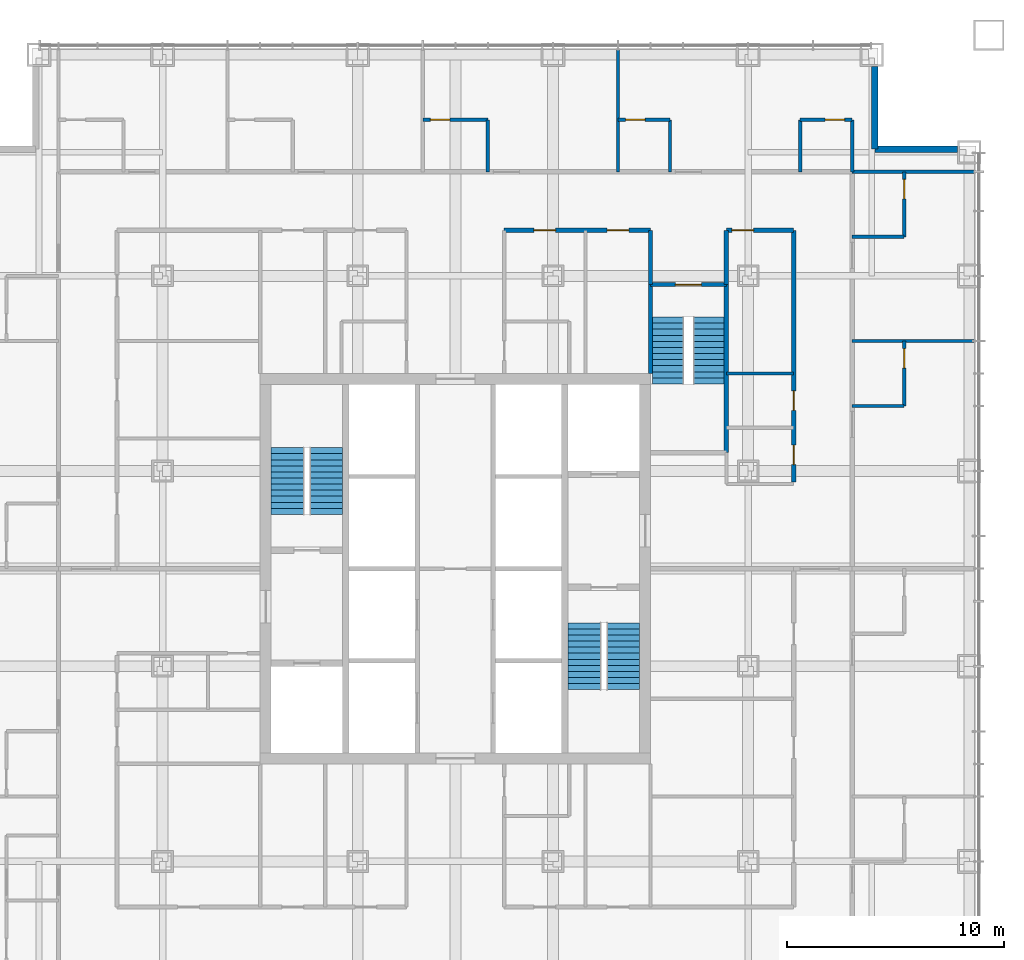
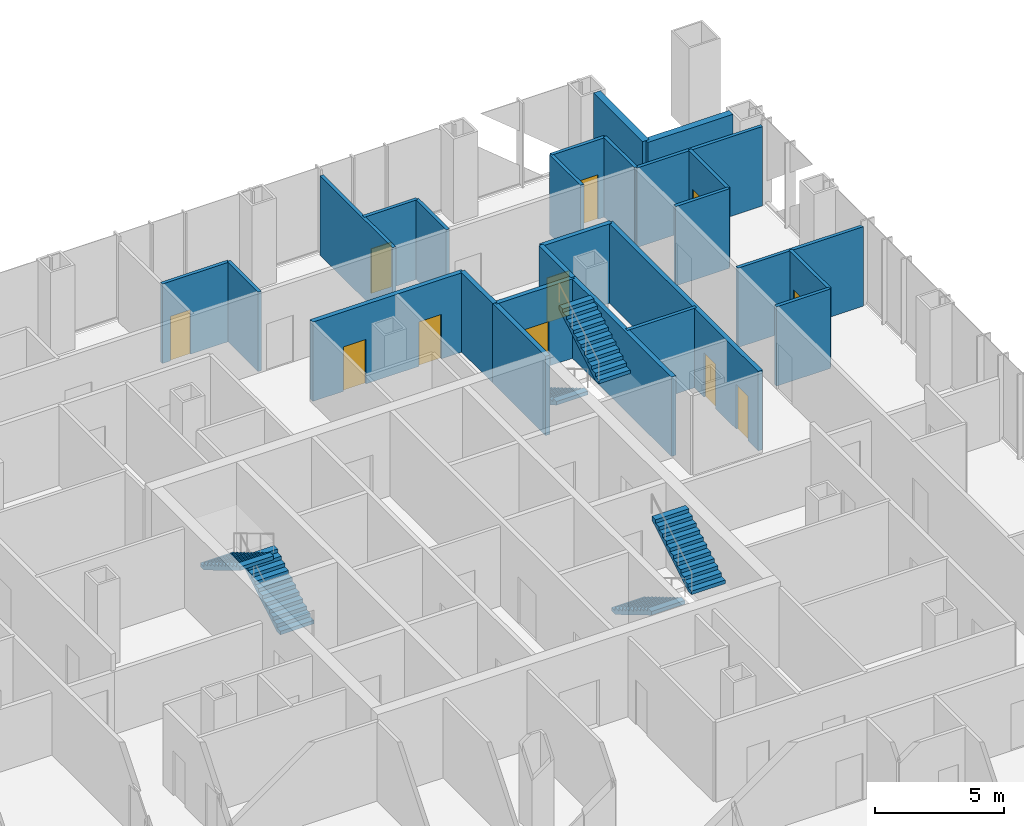
# One storey, part 12 of 13: 25 walls, 11 doors, 6 stair flights, 11 openings, 3 elements without a shape of their own.
"""IFC4 building model written with IfcOpenShell, lengths in metres."""

from ifc_helpers import new_model, si_unit, direction, frame, frame_2d, origin, place, context, subcontext, project, spatial, polyline, rectangle, outline, extrude, material, layer, layer_set, type_object, element, fill, aggregate, save


model = new_model("IFC4")

# Units and contexts
model_context = context("Model", 3, precision=1e-05, world=origin(), true_north=direction((0.0, 1.0)))
body_context = subcontext(model_context, "Body", "Model", "MODEL_VIEW")
ifc_project = project(units=[si_unit("LENGTHUNIT", "METRE"), si_unit("AREAUNIT", "SQUARE_METRE"), si_unit("VOLUMEUNIT", "CUBIC_METRE"), si_unit("PLANEANGLEUNIT", "RADIAN"), si_unit("MASSUNIT", "GRAM", prefix="KILO")], contexts=[model_context])

# Site, building, storey
site_placement = place(None, origin())
site = spatial("IfcSite", under=ifc_project, at=site_placement, CompositionType="ELEMENT")
building_placement = place(site_placement, origin())
building = spatial("IfcBuilding", under=site, at=building_placement, Name="Malebo Sky Hospital", CompositionType="ELEMENT")
storey_placement = place(building_placement, frame((0.0, 0.0, 104.0)))
storey = spatial("IfcBuildingStorey", under=building, at=storey_placement, Name="L24", CompositionType="ELEMENT", Elevation=104.0)

# Wall, openings, doors
ifc_material_1 = material(Name="Gypsum board on steel studs", Category="steel")
ifc_layer_1 = layer(ifc_material_1, 0.199951171875)
ifc_layer_set_1 = layer_set([ifc_layer_1], Name="CORRIDOR WALL 200")
wall_type_1 = type_object("IfcWallType", Name="CORRIDOR WALL 200", PredefinedType="PARTITIONING", material=ifc_layer_set_1)
wall_1_placement = place(storey_placement, frame((62.25, 77.60009765625, 0.0), z_axis=(0.0, 0.0, 1.0), x_axis=(1.0, 0.0, 0.0)))
wall_1 = element("IfcWall", 1, at=wall_1_placement, inside=storey, type_object=wall_type_1, Name="Corridor Wall 200 NCI2", PredefinedType="PARTITIONING", context=body_context, shape_type="SweptSolid", body=[
    extrude(rectangle(XDim=6.75, YDim=0.199951171875, at=frame_2d((3.375, 0.0))), origin(), (0.0, 0.0, 1.0), 3.75),
])
opening_1_placement = place(wall_1_placement, frame((1.375, 0.0, 0.0)))
opening_1 = element("IfcOpeningElement", 2, at=opening_1_placement, cuts=wall_1, Name="Opening D03", PredefinedType="OPENING", context=body_context, shape_type="SweptSolid", body=[
    extrude(rectangle(XDim=1.0, YDim=2.10009765625, at=frame_2d((0.5, 1.050048828125))), frame((0.0, 0.10986328125, 0.0), z_axis=(0.0, -1.0, 0.0), x_axis=(1.0, 0.0, 0.0)), (0.0, 0.0, 1.0), 0.219970703125),
])
opening_2_placement = place(wall_1_placement, frame((4.75, 0.0, 0.0)))
opening_2 = element("IfcOpeningElement", 3, at=opening_2_placement, cuts=wall_1, Name="Opening D03", PredefinedType="OPENING", context=body_context, shape_type="SweptSolid", body=[
    extrude(rectangle(XDim=1.0, YDim=2.10009765625, at=frame_2d((0.5, 1.050048828125))), frame((0.0, 0.10986328125, 0.0), z_axis=(0.0, -1.0, 0.0), x_axis=(1.0, 0.0, 0.0)), (0.0, 0.0, 1.0), 0.219970703125),
])
ifc_material_2 = material(Name="Hardwood-faced door leaf in steel frame", Category="steel")
door_type_1 = type_object("IfcDoorType", Name="ROOM DOOR 1000", OperationType="SINGLE_SWING_LEFT", PredefinedType="DOOR", material=ifc_material_2)
door_1_placement = place(opening_1_placement, origin())
door_1 = element("IfcDoor", 4, at=door_1_placement, inside=storey, type_object=door_type_1, Name="Clean utility room door", OperationType="SINGLE_SWING_LEFT", OverallHeight=2.10009765625, OverallWidth=1.0, PredefinedType="DOOR", context=body_context, shape_type="SweptSolid", body=[
    extrude(rectangle(XDim=1.0, YDim=2.10009765625, at=frame_2d((0.5, 1.050048828125))), frame((0.0, 0.02490234375, 0.0), z_axis=(0.0, -1.0, 0.0), x_axis=(1.0, 0.0, 0.0)), (0.0, 0.0, 1.0), 0.050048828125),
])
fill(opening_1, door_1)
door_2_placement = place(opening_2_placement, origin())
door_2 = element("IfcDoor", 5, at=door_2_placement, inside=storey, type_object=door_type_1, Name="Seminar room door", OperationType="SINGLE_SWING_RIGHT", OverallHeight=2.10009765625, OverallWidth=1.0, PredefinedType="DOOR", context=body_context, shape_type="SweptSolid", body=[
    extrude(rectangle(XDim=1.0, YDim=2.10009765625, at=frame_2d((0.5, 1.050048828125))), frame((0.0, 0.02490234375, 0.0), z_axis=(0.0, -1.0, 0.0), x_axis=(1.0, 0.0, 0.0)), (0.0, 0.0, 1.0), 0.050048828125),
])
fill(opening_2, door_2)

# Wall, opening, door
wall_2_placement = place(storey_placement, frame((72.5, 77.60009765625, 0.0), z_axis=(0.0, 0.0, 1.0), x_axis=(1.0, 0.0, 0.0)))
wall_2 = element("IfcWall", 6, at=wall_2_placement, inside=storey, type_object=wall_type_1, Name="Corridor Wall 200 NCI2/2", PredefinedType="PARTITIONING", context=body_context, shape_type="SweptSolid", body=[
    extrude(rectangle(XDim=3.10009765625, YDim=0.199951171875, at=frame_2d((1.550048828125, 0.0))), origin(), (0.0, 0.0, 1.0), 3.75),
])
opening_3_placement = place(wall_2_placement, frame((0.25, 0.0, 0.0)))
opening_3 = element("IfcOpeningElement", 7, at=opening_3_placement, cuts=wall_2, Name="Opening D03", PredefinedType="OPENING", context=body_context, shape_type="SweptSolid", body=[
    extrude(rectangle(XDim=1.0, YDim=2.10009765625, at=frame_2d((0.5, 1.050048828125))), frame((0.0, 0.10986328125, 0.0), z_axis=(0.0, -1.0, 0.0), x_axis=(1.0, 0.0, 0.0)), (0.0, 0.0, 1.0), 0.219970703125),
])
door_3_placement = place(opening_3_placement, origin())
door_3 = element("IfcDoor", 8, at=door_3_placement, inside=storey, type_object=door_type_1, Name="Nurse station door", OperationType="SINGLE_SWING_LEFT", OverallHeight=2.10009765625, OverallWidth=1.0, PredefinedType="DOOR", context=body_context, shape_type="SweptSolid", body=[
    extrude(rectangle(XDim=1.0, YDim=2.10009765625, at=frame_2d((0.5, 1.050048828125))), frame((0.0, 0.02490234375, 0.0), z_axis=(0.0, -1.0, 0.0), x_axis=(1.0, 0.0, 0.0)), (0.0, 0.0, 1.0), 0.050048828125),
])
fill(opening_3, door_3)

# Wall, openings, doors
wall_3_placement = place(storey_placement, frame((75.60009765625, 77.60009765625, 0.0), z_axis=(0.0, 0.0, 1.0), x_axis=(0.0, -1.0, 0.0)))
wall_3 = element("IfcWall", 9, at=wall_3_placement, inside=storey, type_object=wall_type_1, Name="Corridor Wall 200 ECI1", PredefinedType="PARTITIONING", context=body_context, shape_type="SweptSolid", body=[
    extrude(rectangle(XDim=11.60009765625, YDim=0.199951171875, at=frame_2d((5.800048828125, 0.0))), origin(), (0.0, 0.0, 1.0), 3.75),
])
opening_4_placement = place(wall_3_placement, frame((7.39990234375, 0.0, 0.0)))
opening_4 = element("IfcOpeningElement", 10, at=opening_4_placement, cuts=wall_3, Name="Opening D04", PredefinedType="OPENING", context=body_context, shape_type="SweptSolid", body=[
    extrude(rectangle(XDim=0.89990234375, YDim=2.10009765625, at=frame_2d((0.449951171875, 1.050048828125))), frame((0.0, 0.10986328125, 0.0), z_axis=(0.0, -1.0, 0.0), x_axis=(1.0, 0.0, 0.0)), (0.0, 0.0, 1.0), 0.219970703125),
])
opening_5_placement = place(wall_3_placement, frame((9.89990234375, 0.0, 0.0)))
opening_5 = element("IfcOpeningElement", 11, at=opening_5_placement, cuts=wall_3, Name="Opening D04", PredefinedType="OPENING", context=body_context, shape_type="SweptSolid", body=[
    extrude(rectangle(XDim=0.89990234375, YDim=2.10009765625, at=frame_2d((0.449951171875, 1.050048828125))), frame((0.0, 0.10986328125, 0.0), z_axis=(0.0, -1.0, 0.0), x_axis=(1.0, 0.0, 0.0)), (0.0, 0.0, 1.0), 0.219970703125),
])
door_type_2 = type_object("IfcDoorType", Name="ROOM DOOR 900", OperationType="SINGLE_SWING_LEFT", PredefinedType="DOOR", material=ifc_material_2)
door_4_placement = place(opening_4_placement, origin())
door_4 = element("IfcDoor", 12, at=door_4_placement, inside=storey, type_object=door_type_2, Name="Equipment store door", OperationType="SINGLE_SWING_LEFT", OverallHeight=2.10009765625, OverallWidth=0.89990234375, PredefinedType="DOOR", context=body_context, shape_type="SweptSolid", body=[
    extrude(rectangle(XDim=0.89990234375, YDim=2.10009765625, at=frame_2d((0.449951171875, 1.050048828125))), frame((0.0, 0.02490234375, 0.0), z_axis=(0.0, -1.0, 0.0), x_axis=(1.0, 0.0, 0.0)), (0.0, 0.0, 1.0), 0.050048828125),
])
fill(opening_4, door_4)
door_5_placement = place(opening_5_placement, origin())
door_5 = element("IfcDoor", 13, at=door_5_placement, inside=storey, type_object=door_type_2, Name="Medication room door", OperationType="SINGLE_SWING_LEFT", OverallHeight=2.10009765625, OverallWidth=0.89990234375, PredefinedType="DOOR", context=body_context, shape_type="SweptSolid", body=[
    extrude(rectangle(XDim=0.89990234375, YDim=2.10009765625, at=frame_2d((0.449951171875, 1.050048828125))), frame((0.0, 0.02490234375, 0.0), z_axis=(0.0, -1.0, 0.0), x_axis=(1.0, 0.0, 0.0)), (0.0, 0.0, 1.0), 0.050048828125),
])
fill(opening_5, door_5)

# Walls
for number, where, z_axis, x_axis, name in (
    (14, (69.0, 75.10009765625, 0.0), (0.0, 0.0, 1.0), (0.0, 1.0, 0.0), "Corridor Wall 200 ST3AW"),
    (15, (72.5, 75.10009765625, 0.0), (0.0, 0.0, 1.0), (0.0, 1.0, 0.0), "Corridor Wall 200 ST3AE"),
):
    element("IfcWall", number, at=place(storey_placement, frame(where, z_axis=z_axis, x_axis=x_axis)), inside=storey, type_object=wall_type_1, Name=name, PredefinedType="PARTITIONING", context=body_context, shape_type="SweptSolid", body=[
        extrude(rectangle(XDim=2.5, YDim=0.199951171875, at=frame_2d((1.25, 0.0))), origin(), (0.0, 0.0, 1.0), 3.75),
    ])
ifc_material_3 = material(Name="Anodised aluminium rainscreen on steel framing", Category="steel")
ifc_layer_2 = layer(ifc_material_3, 0.300048828125)
ifc_layer_set_2 = layer_set([ifc_layer_2], Name="NOTCH RAINSCREEN WALL 300")
wall_type_2 = type_object("IfcWallType", Name="NOTCH RAINSCREEN WALL 300", PredefinedType="ELEMENTEDWALL", material=ifc_layer_set_2)
for number, where, z_axis, x_axis, name in (
    (16, (79.35009765625, 85.14990234375, 0.0), (0.0, 0.0, 1.0), (0.0, -1.0, 0.0), "Notch rainscreen wall N1 L24"),
    (17, (79.35009765625, 81.35009765625, 0.0), (0.0, 0.0, 1.0), (1.0, 0.0, 0.0), "Notch rainscreen wall N2 L24"),
):
    element("IfcWall", number, at=place(storey_placement, frame(where, z_axis=z_axis, x_axis=x_axis)), inside=storey, type_object=wall_type_2, Name=name, PredefinedType="ELEMENTEDWALL", context=body_context, shape_type="SweptSolid", body=[
        extrude(rectangle(XDim=3.7998046875, YDim=0.300048828125, at=frame_2d((1.89990234375, 0.0))), origin(), (0.0, 0.0, 1.0), 4.0),
    ])
ifc_layer_3 = layer(ifc_material_1, 0.14990234375)
ifc_layer_set_3 = layer_set([ifc_layer_3], Name="PARTITION 150")
wall_type_3 = type_object("IfcWallType", Name="PARTITION 150", PredefinedType="PARTITIONING", material=ifc_layer_set_3)
wall_4_placement = place(storey_placement, frame((67.5, 80.300048828125, 0.0), z_axis=(0.0, 0.0, 1.0), x_axis=(0.0, 1.0, 0.0)))
element("IfcWall", 18, at=wall_4_placement, inside=storey, type_object=wall_type_3, Name="Partition 150 NP+7.5", PredefinedType="PARTITIONING", context=body_context, shape_type="SweptSolid", body=[
    extrude(rectangle(XDim=5.60986328125, YDim=0.14990234375, at=frame_2d((2.804931640625, 0.0))), origin(), (0.0, 0.0, 1.0), 3.75),
])

# Wall, opening, door
wall_5_placement = place(storey_placement, frame((58.5, 82.699951171875, 0.0), z_axis=(0.0, 0.0, 1.0), x_axis=(1.0, 0.0, 0.0)))
wall_5 = element("IfcWall", 19, at=wall_5_placement, inside=storey, type_object=wall_type_3, Name="Partition 150 NE2F", PredefinedType="PARTITIONING", context=body_context, shape_type="SweptSolid", body=[
    extrude(rectangle(XDim=3.0, YDim=0.14990234375, at=frame_2d((1.5, 0.0))), origin(), (0.0, 0.0, 1.0), 3.75),
])
opening_6_placement = place(wall_5_placement, frame((0.35009765625, 0.0, 0.0)))
opening_6 = element("IfcOpeningElement", 20, at=opening_6_placement, cuts=wall_5, Name="Opening D02", PredefinedType="OPENING", context=body_context, shape_type="SweptSolid", body=[
    extrude(rectangle(XDim=0.89990234375, YDim=2.10009765625, at=frame_2d((0.449951171875, 1.050048828125))), frame((0.0, 0.0849609375, 0.0), z_axis=(0.0, -1.0, 0.0), x_axis=(1.0, 0.0, 0.0)), (0.0, 0.0, 1.0), 0.169921875),
])
door_type_3 = type_object("IfcDoorType", Name="EN-SUITE DOOR 900", OperationType="SINGLE_SWING_LEFT", PredefinedType="DOOR", material=ifc_material_2)
door_6_placement = place(opening_6_placement, origin())
door_6 = element("IfcDoor", 21, at=door_6_placement, inside=storey, type_object=door_type_3, Name="En-suite door", OperationType="SINGLE_SWING_LEFT", OverallHeight=2.10009765625, OverallWidth=0.89990234375, PredefinedType="DOOR", context=body_context, shape_type="SweptSolid", body=[
    extrude(rectangle(XDim=0.89990234375, YDim=2.10009765625, at=frame_2d((0.449951171875, 1.050048828125))), frame((0.0, 0.02490234375, 0.0), z_axis=(0.0, -1.0, 0.0), x_axis=(1.0, 0.0, 0.0)), (0.0, 0.0, 1.0), 0.050048828125),
])
fill(opening_6, door_6)

# Wall
wall_6_placement = place(storey_placement, frame((61.5, 80.300048828125, 0.0), z_axis=(0.0, 0.0, 1.0), x_axis=(0.0, 1.0, 0.0)))
element("IfcWall", 22, at=wall_6_placement, inside=storey, type_object=wall_type_3, Name="Partition 150 NE2S", PredefinedType="PARTITIONING", context=body_context, shape_type="SweptSolid", body=[
    extrude(rectangle(XDim=2.39990234375, YDim=0.14990234375, at=frame_2d((1.199951171875, 0.0))), origin(), (0.0, 0.0, 1.0), 3.75),
])

# Wall, opening, door
wall_7_placement = place(storey_placement, frame((67.5, 82.699951171875, 0.0), z_axis=(0.0, 0.0, 1.0), x_axis=(1.0, 0.0, 0.0)))
wall_7 = element("IfcWall", 23, at=wall_7_placement, inside=storey, type_object=wall_type_3, Name="Partition 150 NE3F", PredefinedType="PARTITIONING", context=body_context, shape_type="SweptSolid", body=[
    extrude(rectangle(XDim=2.39990234375, YDim=0.14990234375, at=frame_2d((1.199951171875, 0.0))), origin(), (0.0, 0.0, 1.0), 3.75),
])
opening_7_placement = place(wall_7_placement, frame((0.35009765625, 0.0, 0.0)))
opening_7 = element("IfcOpeningElement", 24, at=opening_7_placement, cuts=wall_7, Name="Opening D02", PredefinedType="OPENING", context=body_context, shape_type="SweptSolid", body=[
    extrude(rectangle(XDim=0.89990234375, YDim=2.10009765625, at=frame_2d((0.449951171875, 1.050048828125))), frame((0.0, 0.0849609375, 0.0), z_axis=(0.0, -1.0, 0.0), x_axis=(1.0, 0.0, 0.0)), (0.0, 0.0, 1.0), 0.169921875),
])
door_7_placement = place(opening_7_placement, origin())
door_7 = element("IfcDoor", 25, at=door_7_placement, inside=storey, type_object=door_type_3, Name="En-suite door", OperationType="SINGLE_SWING_LEFT", OverallHeight=2.10009765625, OverallWidth=0.89990234375, PredefinedType="DOOR", context=body_context, shape_type="SweptSolid", body=[
    extrude(rectangle(XDim=0.89990234375, YDim=2.10009765625, at=frame_2d((0.449951171875, 1.050048828125))), frame((0.0, 0.02490234375, 0.0), z_axis=(0.0, -1.0, 0.0), x_axis=(1.0, 0.0, 0.0)), (0.0, 0.0, 1.0), 0.050048828125),
])
fill(opening_7, door_7)

# Wall
wall_8_placement = place(storey_placement, frame((69.89990234375, 80.300048828125, 0.0), z_axis=(0.0, 0.0, 1.0), x_axis=(0.0, 1.0, 0.0)))
element("IfcWall", 26, at=wall_8_placement, inside=storey, type_object=wall_type_3, Name="Partition 150 NE3S", PredefinedType="PARTITIONING", context=body_context, shape_type="SweptSolid", body=[
    extrude(rectangle(XDim=2.39990234375, YDim=0.14990234375, at=frame_2d((1.199951171875, 0.0))), origin(), (0.0, 0.0, 1.0), 3.75),
])

# Wall, opening, door
wall_9_placement = place(storey_placement, frame((75.89990234375, 82.699951171875, 0.0), z_axis=(0.0, 0.0, 1.0), x_axis=(1.0, 0.0, 0.0)))
wall_9 = element("IfcWall", 27, at=wall_9_placement, inside=storey, type_object=wall_type_3, Name="Partition 150 NG3F", PredefinedType="PARTITIONING", context=body_context, shape_type="SweptSolid", body=[
    extrude(rectangle(XDim=2.400146484375, YDim=0.14990234375, at=frame_2d((1.2001953125, 0.0))), origin(), (0.0, 0.0, 1.0), 3.75),
])
opening_8_placement = place(wall_9_placement, frame((1.14990234375, 0.0, 0.0)))
opening_8 = element("IfcOpeningElement", 28, at=opening_8_placement, cuts=wall_9, Name="Opening D02", PredefinedType="OPENING", context=body_context, shape_type="SweptSolid", body=[
    extrude(rectangle(XDim=0.89990234375, YDim=2.10009765625, at=frame_2d((0.449951171875, 1.050048828125))), frame((0.0, 0.0849609375, 0.0), z_axis=(0.0, -1.0, 0.0), x_axis=(1.0, 0.0, 0.0)), (0.0, 0.0, 1.0), 0.169921875),
])
door_8_placement = place(opening_8_placement, origin())
door_8 = element("IfcDoor", 29, at=door_8_placement, inside=storey, type_object=door_type_3, Name="En-suite door", OperationType="SINGLE_SWING_RIGHT", OverallHeight=2.10009765625, OverallWidth=0.89990234375, PredefinedType="DOOR", context=body_context, shape_type="SweptSolid", body=[
    extrude(rectangle(XDim=0.89990234375, YDim=2.10009765625, at=frame_2d((0.449951171875, 1.050048828125))), frame((0.0, 0.02490234375, 0.0), z_axis=(0.0, -1.0, 0.0), x_axis=(1.0, 0.0, 0.0)), (0.0, 0.0, 1.0), 0.050048828125),
])
fill(opening_8, door_8)

# Walls
for number, where, z_axis, x_axis, name in (
    (30, (75.89990234375, 80.300048828125, 0.0), (0.0, 0.0, 1.0), (0.0, 1.0, 0.0), "Partition 150 NG3S"),
    (31, (78.300048828125, 80.300048828125, 0.0), (0.0, 0.0, 1.0), (0.0, 1.0, 0.0), "Partition 150 NEZ"),
):
    element("IfcWall", number, at=place(storey_placement, frame(where, z_axis=z_axis, x_axis=x_axis)), inside=storey, type_object=wall_type_3, Name=name, PredefinedType="PARTITIONING", context=body_context, shape_type="SweptSolid", body=[
        extrude(rectangle(XDim=2.39990234375, YDim=0.14990234375, at=frame_2d((1.199951171875, 0.0))), origin(), (0.0, 0.0, 1.0), 3.75),
    ])
for number, where, z_axis, x_axis, name in (
    (32, (78.300048828125, 72.5, 0.0), (0.0, 0.0, 1.0), (1.0, 0.0, 0.0), "Partition 150 EP-10.5"),
    (33, (78.300048828125, 80.300048828125, 0.0), (0.0, 0.0, 1.0), (1.0, 0.0, 0.0), "Partition 150 EP0"),
):
    element("IfcWall", number, at=place(storey_placement, frame(where, z_axis=z_axis, x_axis=x_axis)), inside=storey, type_object=wall_type_3, Name=name, PredefinedType="PARTITIONING", context=body_context, shape_type="SweptSolid", body=[
        extrude(rectangle(XDim=5.60986328125, YDim=0.14990234375, at=frame_2d((2.804931640625, 0.0))), origin(), (0.0, 0.0, 1.0), 3.75),
    ])

# Wall, opening, door
wall_10_placement = place(storey_placement, frame((80.699951171875, 80.300048828125, 0.0), z_axis=(0.0, 0.0, 1.0), x_axis=(0.0, -1.0, 0.0)))
wall_10 = element("IfcWall", 34, at=wall_10_placement, inside=storey, type_object=wall_type_3, Name="Partition 150 EE0F", PredefinedType="PARTITIONING", context=body_context, shape_type="SweptSolid", body=[
    extrude(rectangle(XDim=3.0, YDim=0.14990234375, at=frame_2d((1.5, 0.0))), origin(), (0.0, 0.0, 1.0), 3.75),
])
opening_9_placement = place(wall_10_placement, frame((0.35009765625, 0.0, 0.0)))
opening_9 = element("IfcOpeningElement", 35, at=opening_9_placement, cuts=wall_10, Name="Opening D02", PredefinedType="OPENING", context=body_context, shape_type="SweptSolid", body=[
    extrude(rectangle(XDim=0.89990234375, YDim=2.10009765625, at=frame_2d((0.449951171875, 1.050048828125))), frame((0.0, 0.0849609375, 0.0), z_axis=(0.0, -1.0, 0.0), x_axis=(1.0, 0.0, 0.0)), (0.0, 0.0, 1.0), 0.169921875),
])
door_9_placement = place(opening_9_placement, origin())
door_9 = element("IfcDoor", 36, at=door_9_placement, inside=storey, type_object=door_type_3, Name="En-suite door", OperationType="SINGLE_SWING_LEFT", OverallHeight=2.10009765625, OverallWidth=0.89990234375, PredefinedType="DOOR", context=body_context, shape_type="SweptSolid", body=[
    extrude(rectangle(XDim=0.89990234375, YDim=2.10009765625, at=frame_2d((0.449951171875, 1.050048828125))), frame((0.0, 0.02490234375, 0.0), z_axis=(0.0, -1.0, 0.0), x_axis=(1.0, 0.0, 0.0)), (0.0, 0.0, 1.0), 0.050048828125),
])
fill(opening_9, door_9)

# Wall
wall_11_placement = place(storey_placement, frame((78.300048828125, 77.300048828125, 0.0), z_axis=(0.0, 0.0, 1.0), x_axis=(1.0, 0.0, 0.0)))
element("IfcWall", 37, at=wall_11_placement, inside=storey, type_object=wall_type_3, Name="Partition 150 EE0S", PredefinedType="PARTITIONING", context=body_context, shape_type="SweptSolid", body=[
    extrude(rectangle(XDim=2.39990234375, YDim=0.14990234375, at=frame_2d((1.199951171875, 0.0))), origin(), (0.0, 0.0, 1.0), 3.75),
])

# Wall, opening, door
wall_12_placement = place(storey_placement, frame((80.699951171875, 72.5, 0.0), z_axis=(0.0, 0.0, 1.0), x_axis=(0.0, -1.0, 0.0)))
wall_12 = element("IfcWall", 38, at=wall_12_placement, inside=storey, type_object=wall_type_3, Name="Partition 150 EE1F", PredefinedType="PARTITIONING", context=body_context, shape_type="SweptSolid", body=[
    extrude(rectangle(XDim=3.0, YDim=0.14990234375, at=frame_2d((1.5, 0.0))), origin(), (0.0, 0.0, 1.0), 3.75),
])
opening_10_placement = place(wall_12_placement, frame((0.35009765625, 0.0, 0.0)))
opening_10 = element("IfcOpeningElement", 39, at=opening_10_placement, cuts=wall_12, Name="Opening D02", PredefinedType="OPENING", context=body_context, shape_type="SweptSolid", body=[
    extrude(rectangle(XDim=0.89990234375, YDim=2.10009765625, at=frame_2d((0.449951171875, 1.050048828125))), frame((0.0, 0.0849609375, 0.0), z_axis=(0.0, -1.0, 0.0), x_axis=(1.0, 0.0, 0.0)), (0.0, 0.0, 1.0), 0.169921875),
])
door_10_placement = place(opening_10_placement, origin())
door_10 = element("IfcDoor", 40, at=door_10_placement, inside=storey, type_object=door_type_3, Name="En-suite door", OperationType="SINGLE_SWING_LEFT", OverallHeight=2.10009765625, OverallWidth=0.89990234375, PredefinedType="DOOR", context=body_context, shape_type="SweptSolid", body=[
    extrude(rectangle(XDim=0.89990234375, YDim=2.10009765625, at=frame_2d((0.449951171875, 1.050048828125))), frame((0.0, 0.02490234375, 0.0), z_axis=(0.0, -1.0, 0.0), x_axis=(1.0, 0.0, 0.0)), (0.0, 0.0, 1.0), 0.050048828125),
])
fill(opening_10, door_10)

# Walls
wall_13_placement = place(storey_placement, frame((78.300048828125, 69.5, 0.0), z_axis=(0.0, 0.0, 1.0), x_axis=(1.0, 0.0, 0.0)))
element("IfcWall", 41, at=wall_13_placement, inside=storey, type_object=wall_type_3, Name="Partition 150 EE1S", PredefinedType="PARTITIONING", context=body_context, shape_type="SweptSolid", body=[
    extrude(rectangle(XDim=2.39990234375, YDim=0.14990234375, at=frame_2d((1.199951171875, 0.0))), origin(), (0.0, 0.0, 1.0), 3.75),
])
wall_14_placement = place(storey_placement, frame((72.5, 71.0, 0.0), z_axis=(0.0, 0.0, 1.0), x_axis=(1.0, 0.0, 0.0)))
element("IfcWall", 42, at=wall_14_placement, inside=storey, type_object=wall_type_3, Name="Partition 150 ESP0", PredefinedType="PARTITIONING", context=body_context, shape_type="SweptSolid", body=[
    extrude(rectangle(XDim=3.10009765625, YDim=0.14990234375, at=frame_2d((1.550048828125, 0.0))), origin(), (0.0, 0.0, 1.0), 3.75),
])
ifc_material_4 = material(Name="Concrete C40/50", Category="concrete")
ifc_layer_4 = layer(ifc_material_4, 0.199951171875)
ifc_layer_set_4 = layer_set([ifc_layer_4], Name="STAIR ENCLOSURE WALL 200")
wall_type_4 = type_object("IfcWallType", Name="STAIR ENCLOSURE WALL 200", PredefinedType="SOLIDWALL", material=ifc_layer_set_4)
wall_15_placement = place(storey_placement, frame((69.0, 71.0, 0.0), z_axis=(0.0, 0.0, 1.0), x_axis=(0.0, 1.0, 0.0)))
element("IfcWall", 43, at=wall_15_placement, inside=storey, type_object=wall_type_4, Name="Stair Enclosure Wall 200 ST3W", PredefinedType="SOLIDWALL", context=body_context, shape_type="SweptSolid", body=[
    extrude(rectangle(XDim=4.10009765625, YDim=0.199951171875, at=frame_2d((2.050048828125, 0.0))), origin(), (0.0, 0.0, 1.0), 3.75),
])
wall_16_placement = place(storey_placement, frame((72.5, 67.35009765625, 0.0), z_axis=(0.0, 0.0, 1.0), x_axis=(0.0, 1.0, 0.0)))
element("IfcWall", 44, at=wall_16_placement, inside=storey, type_object=wall_type_4, Name="Stair Enclosure Wall 200 ST3E", PredefinedType="SOLIDWALL", context=body_context, shape_type="SweptSolid", body=[
    extrude(rectangle(XDim=7.75, YDim=0.199951171875, at=frame_2d((3.875, 0.0))), origin(), (0.0, 0.0, 1.0), 3.75),
])

# Wall, opening, door
wall_17_placement = place(storey_placement, frame((69.0, 75.10009765625, 0.0), z_axis=(0.0, 0.0, 1.0), x_axis=(1.0, 0.0, 0.0)))
wall_17 = element("IfcWall", 45, at=wall_17_placement, inside=storey, type_object=wall_type_4, Name="Stair Enclosure Wall 200 ST3N", PredefinedType="SOLIDWALL", context=body_context, shape_type="SweptSolid", body=[
    extrude(rectangle(XDim=3.5, YDim=0.199951171875, at=frame_2d((1.75, 0.0))), origin(), (0.0, 0.0, 1.0), 3.75),
])
opening_11_placement = place(wall_17_placement, frame((1.14990234375, 0.0, 0.0)))
opening_11 = element("IfcOpeningElement", 46, at=opening_11_placement, cuts=wall_17, Name="Opening D08", PredefinedType="OPENING", context=body_context, shape_type="SweptSolid", body=[
    extrude(rectangle(XDim=1.199951171875, YDim=2.10009765625, at=frame_2d((0.60009765625, 1.050048828125))), frame((0.0, 0.10986328125, 0.0), z_axis=(0.0, -1.0, 0.0), x_axis=(1.0, 0.0, 0.0)), (0.0, 0.0, 1.0), 0.219970703125),
])
door_type_4 = type_object("IfcDoorType", Name="STAIR DOOR 1200", OperationType="SINGLE_SWING_LEFT", PredefinedType="DOOR", material=ifc_material_2)
door_11_placement = place(opening_11_placement, origin())
door_11 = element("IfcDoor", 47, at=door_11_placement, inside=storey, type_object=door_type_4, Name="Stair S3 door", OperationType="SINGLE_SWING_LEFT", OverallHeight=2.10009765625, OverallWidth=1.199951171875, PredefinedType="DOOR", context=body_context, shape_type="SweptSolid", body=[
    extrude(rectangle(XDim=1.199951171875, YDim=2.10009765625, at=frame_2d((0.60009765625, 1.050048828125))), frame((0.0, 0.02490234375, 0.0), z_axis=(0.0, -1.0, 0.0), x_axis=(1.0, 0.0, 0.0)), (0.0, 0.0, 1.0), 0.050048828125),
])
fill(opening_11, door_11)

# Stair, stair flights
stair_type_1 = type_object("IfcStairType", Name="HALF-TURN STAIR 1400 R167", PredefinedType="HALF_TURN_STAIR", material=ifc_material_4)
stair_1_placement = place(storey_placement, origin())
stair_1 = element("IfcStair", 48, at=stair_1_placement, inside=storey, type_object=stair_type_1, Name="Stair S3 L24 type ST1B", PredefinedType="HALF_TURN_STAIR")
stair_flight_type_1 = type_object("IfcStairFlightType", Name="STAIR FLIGHT 1400 R167", PredefinedType="STRAIGHT", material=ifc_material_4)
stair_flight_1_placement = place(storey_placement, frame((69.800048828125, 73.60009765625, 0.0), z_axis=(0.0, 0.0, 1.0), x_axis=(0.0, -1.0, 0.0)))
stair_flight_1 = element("IfcStairFlight", 49, at=stair_flight_1_placement, type_object=stair_flight_type_1, Name="S3 flight 1 type SF1B", NumberOfRisers=12, NumberOfTreads=11, PredefinedType="STRAIGHT", RiserHeight=0.166666667, TreadLength=0.28, context=body_context, shape_type="SweptSolid", body=[
    extrude(outline(polyline([(0.0, 0.0), (0.0, 0.166748046875), (0.280029296875, 0.166748046875), (0.280029296875, 0.333251953125), (0.56005859375, 0.333251953125), (0.56005859375, 0.5), (0.840087890625, 0.5), (0.840087890625, 0.666748046875), (1.1201171875, 0.666748046875), (1.1201171875, 0.833251953125), (1.39990234375, 0.833251953125), (1.39990234375, 1.0), (1.679931640625, 1.0), (1.679931640625, 1.166748046875), (1.9599609375, 1.166748046875), (1.9599609375, 1.333251953125), (2.239990234375, 1.333251953125), (2.239990234375, 1.5), (2.52001953125, 1.5), (2.52001953125, 1.666748046875), (2.800048828125, 1.666748046875), (2.800048828125, 1.833251953125), (3.080078125, 1.833251953125), (3.080078125, 2.0), (3.080078125, 1.658935546875), (0.29296875, 0.0), (0.0, 0.0)])), frame((0.0, 0.699951171875, 0.0), z_axis=(0.0, -1.0, 0.0), x_axis=(1.0, 0.0, 0.0)), (0.0, 0.0, 1.0), 1.39990234375),
])
stair_flight_2_placement = place(storey_placement, frame((71.699951171875, 70.52001953125, 2.0), z_axis=(0.0, 0.0, 1.0), x_axis=(0.0, 1.0, 0.0)))
stair_flight_2 = element("IfcStairFlight", 50, at=stair_flight_2_placement, type_object=stair_flight_type_1, Name="S3 flight 2 type SF1B", NumberOfRisers=12, NumberOfTreads=11, PredefinedType="STRAIGHT", RiserHeight=0.166666667, TreadLength=0.28, context=body_context, shape_type="SweptSolid", body=[
    extrude(outline(polyline([(0.0, 0.0), (0.0, 0.166748046875), (0.280029296875, 0.166748046875), (0.280029296875, 0.333251953125), (0.56005859375, 0.333251953125), (0.56005859375, 0.5), (0.840087890625, 0.5), (0.840087890625, 0.666748046875), (1.1201171875, 0.666748046875), (1.1201171875, 0.833251953125), (1.39990234375, 0.833251953125), (1.39990234375, 1.0), (1.679931640625, 1.0), (1.679931640625, 1.166748046875), (1.9599609375, 1.166748046875), (1.9599609375, 1.333251953125), (2.239990234375, 1.333251953125), (2.239990234375, 1.5), (2.52001953125, 1.5), (2.52001953125, 1.666748046875), (2.800048828125, 1.666748046875), (2.800048828125, 1.833251953125), (3.080078125, 1.833251953125), (3.080078125, 2.0), (3.080078125, 1.658935546875), (0.29296875, 0.0), (0.0, 0.0)])), frame((0.0, 0.699951171875, 0.0), z_axis=(0.0, -1.0, 0.0), x_axis=(1.0, 0.0, 0.0)), (0.0, 0.0, 1.0), 1.39990234375),
])
aggregate(stair_1, [stair_flight_1, stair_flight_2])

stair_type_2 = type_object("IfcStairType", Name="HALF-TURN STAIR 1500 R167", PredefinedType="HALF_TURN_STAIR", material=ifc_material_4)
stair_2_placement = place(storey_placement, origin())
stair_2 = element("IfcStair", 51, at=stair_2_placement, inside=storey, type_object=stair_type_2, Name="Stair S1 L24 type ST1", PredefinedType="HALF_TURN_STAIR")
stair_flight_type_2 = type_object("IfcStairFlightType", Name="STAIR FLIGHT 1500 R167", PredefinedType="STRAIGHT", material=ifc_material_4)
stair_flight_3_placement = place(storey_placement, frame((54.050048828125, 64.5, 0.0), z_axis=(0.0, 0.0, 1.0), x_axis=(0.0, 1.0, 0.0)))
stair_flight_3 = element("IfcStairFlight", 52, at=stair_flight_3_placement, type_object=stair_flight_type_2, Name="S1 flight 1 type SF1", NumberOfRisers=12, NumberOfTreads=11, PredefinedType="STRAIGHT", RiserHeight=0.166666667, TreadLength=0.28, context=body_context, shape_type="SweptSolid", body=[
    extrude(outline(polyline([(0.0, 0.0), (0.0, 0.166748046875), (0.280029296875, 0.166748046875), (0.280029296875, 0.333251953125), (0.56005859375, 0.333251953125), (0.56005859375, 0.5), (0.840087890625, 0.5), (0.840087890625, 0.666748046875), (1.1201171875, 0.666748046875), (1.1201171875, 0.833251953125), (1.39990234375, 0.833251953125), (1.39990234375, 1.0), (1.679931640625, 1.0), (1.679931640625, 1.166748046875), (1.9599609375, 1.166748046875), (1.9599609375, 1.333251953125), (2.239990234375, 1.333251953125), (2.239990234375, 1.5), (2.52001953125, 1.5), (2.52001953125, 1.666748046875), (2.800048828125, 1.666748046875), (2.800048828125, 1.833251953125), (3.080078125, 1.833251953125), (3.080078125, 2.0), (3.080078125, 1.658935546875), (0.29296875, 0.0), (0.0, 0.0)])), frame((0.0, 0.75, 0.0), z_axis=(0.0, -1.0, 0.0), x_axis=(1.0, 0.0, 0.0)), (0.0, 0.0, 1.0), 1.5),
])
stair_flight_4_placement = place(storey_placement, frame((52.25, 67.580078125, 2.0), z_axis=(0.0, 0.0, 1.0), x_axis=(0.0, -1.0, 0.0)))
stair_flight_4 = element("IfcStairFlight", 53, at=stair_flight_4_placement, type_object=stair_flight_type_2, Name="S1 flight 2 type SF1", NumberOfRisers=12, NumberOfTreads=11, PredefinedType="STRAIGHT", RiserHeight=0.166666667, TreadLength=0.28, context=body_context, shape_type="SweptSolid", body=[
    extrude(outline(polyline([(0.0, 0.0), (0.0, 0.166748046875), (0.280029296875, 0.166748046875), (0.280029296875, 0.333251953125), (0.56005859375, 0.333251953125), (0.56005859375, 0.5), (0.840087890625, 0.5), (0.840087890625, 0.666748046875), (1.1201171875, 0.666748046875), (1.1201171875, 0.833251953125), (1.39990234375, 0.833251953125), (1.39990234375, 1.0), (1.679931640625, 1.0), (1.679931640625, 1.166748046875), (1.9599609375, 1.166748046875), (1.9599609375, 1.333251953125), (2.239990234375, 1.333251953125), (2.239990234375, 1.5), (2.52001953125, 1.5), (2.52001953125, 1.666748046875), (2.800048828125, 1.666748046875), (2.800048828125, 1.833251953125), (3.080078125, 1.833251953125), (3.080078125, 2.0), (3.080078125, 1.658935546875), (0.29296875, 0.0), (0.0, 0.0)])), frame((0.0, 0.75, 0.0), z_axis=(0.0, -1.0, 0.0), x_axis=(1.0, 0.0, 0.0)), (0.0, 0.0, 1.0), 1.5),
])
aggregate(stair_2, [stair_flight_3, stair_flight_4])

stair_3_placement = place(storey_placement, origin())
stair_3 = element("IfcStair", 54, at=stair_3_placement, inside=storey, type_object=stair_type_2, Name="Stair S2 L24 type ST1", PredefinedType="HALF_TURN_STAIR")
stair_flight_5_placement = place(storey_placement, frame((65.949951171875, 59.5, 0.0), z_axis=(0.0, 0.0, 1.0), x_axis=(0.0, -1.0, 0.0)))
stair_flight_5 = element("IfcStairFlight", 55, at=stair_flight_5_placement, type_object=stair_flight_type_2, Name="S2 flight 1 type SF1", NumberOfRisers=12, NumberOfTreads=11, PredefinedType="STRAIGHT", RiserHeight=0.166666667, TreadLength=0.28, context=body_context, shape_type="SweptSolid", body=[
    extrude(outline(polyline([(0.0, 0.0), (0.0, 0.166748046875), (0.280029296875, 0.166748046875), (0.280029296875, 0.333251953125), (0.56005859375, 0.333251953125), (0.56005859375, 0.5), (0.840087890625, 0.5), (0.840087890625, 0.666748046875), (1.1201171875, 0.666748046875), (1.1201171875, 0.833251953125), (1.39990234375, 0.833251953125), (1.39990234375, 1.0), (1.679931640625, 1.0), (1.679931640625, 1.166748046875), (1.9599609375, 1.166748046875), (1.9599609375, 1.333251953125), (2.239990234375, 1.333251953125), (2.239990234375, 1.5), (2.52001953125, 1.5), (2.52001953125, 1.666748046875), (2.800048828125, 1.666748046875), (2.800048828125, 1.833251953125), (3.080078125, 1.833251953125), (3.080078125, 2.0), (3.080078125, 1.658935546875), (0.29296875, 0.0), (0.0, 0.0)])), frame((0.0, 0.75, 0.0), z_axis=(0.0, -1.0, 0.0), x_axis=(1.0, 0.0, 0.0)), (0.0, 0.0, 1.0), 1.5),
])
stair_flight_6_placement = place(storey_placement, frame((67.75, 56.419921875, 2.0), z_axis=(0.0, 0.0, 1.0), x_axis=(0.0, 1.0, 0.0)))
stair_flight_6 = element("IfcStairFlight", 56, at=stair_flight_6_placement, type_object=stair_flight_type_2, Name="S2 flight 2 type SF1", NumberOfRisers=12, NumberOfTreads=11, PredefinedType="STRAIGHT", RiserHeight=0.166666667, TreadLength=0.28, context=body_context, shape_type="SweptSolid", body=[
    extrude(outline(polyline([(0.0, 0.0), (0.0, 0.166748046875), (0.280029296875, 0.166748046875), (0.280029296875, 0.333251953125), (0.56005859375, 0.333251953125), (0.56005859375, 0.5), (0.840087890625, 0.5), (0.840087890625, 0.666748046875), (1.1201171875, 0.666748046875), (1.1201171875, 0.833251953125), (1.39990234375, 0.833251953125), (1.39990234375, 1.0), (1.679931640625, 1.0), (1.679931640625, 1.166748046875), (1.9599609375, 1.166748046875), (1.9599609375, 1.333251953125), (2.239990234375, 1.333251953125), (2.239990234375, 1.5), (2.52001953125, 1.5), (2.52001953125, 1.666748046875), (2.800048828125, 1.666748046875), (2.800048828125, 1.833251953125), (3.080078125, 1.833251953125), (3.080078125, 2.0), (3.080078125, 1.658935546875), (0.29296875, 0.0), (0.0, 0.0)])), frame((0.0, 0.75, 0.0), z_axis=(0.0, -1.0, 0.0), x_axis=(1.0, 0.0, 0.0)), (0.0, 0.0, 1.0), 1.5),
])
aggregate(stair_3, [stair_flight_5, stair_flight_6])

save(model, "model.ifc")
